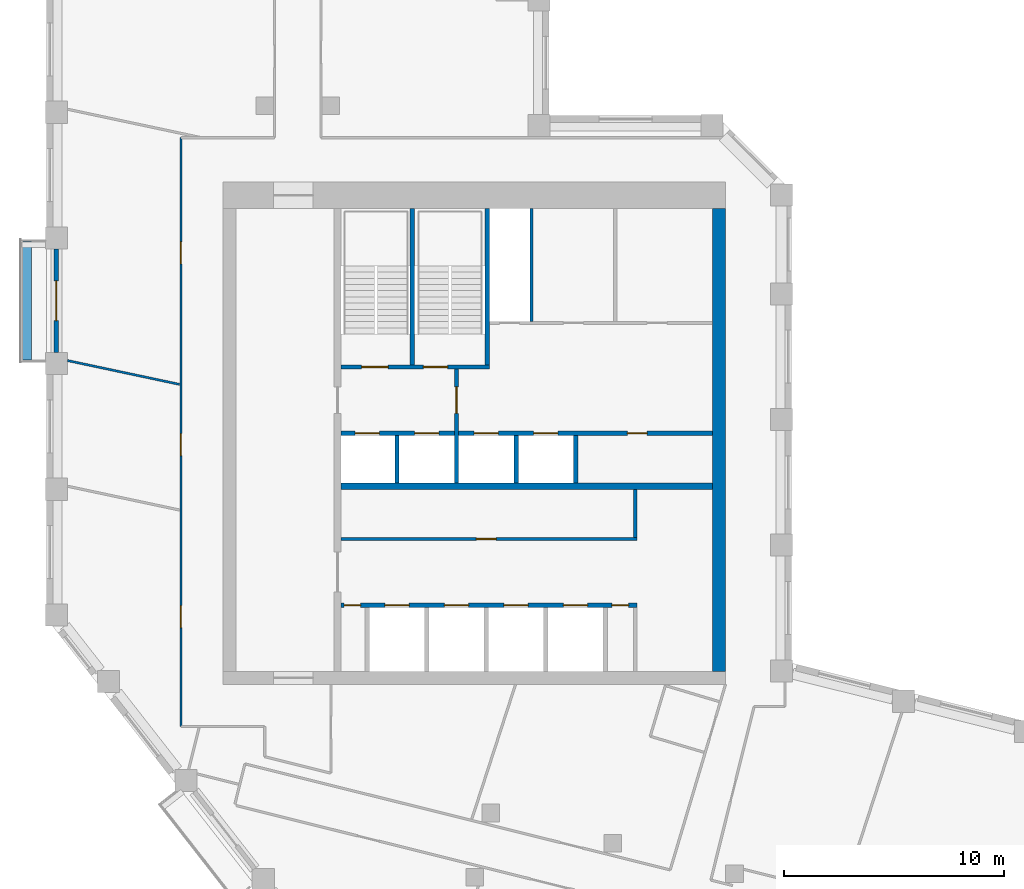
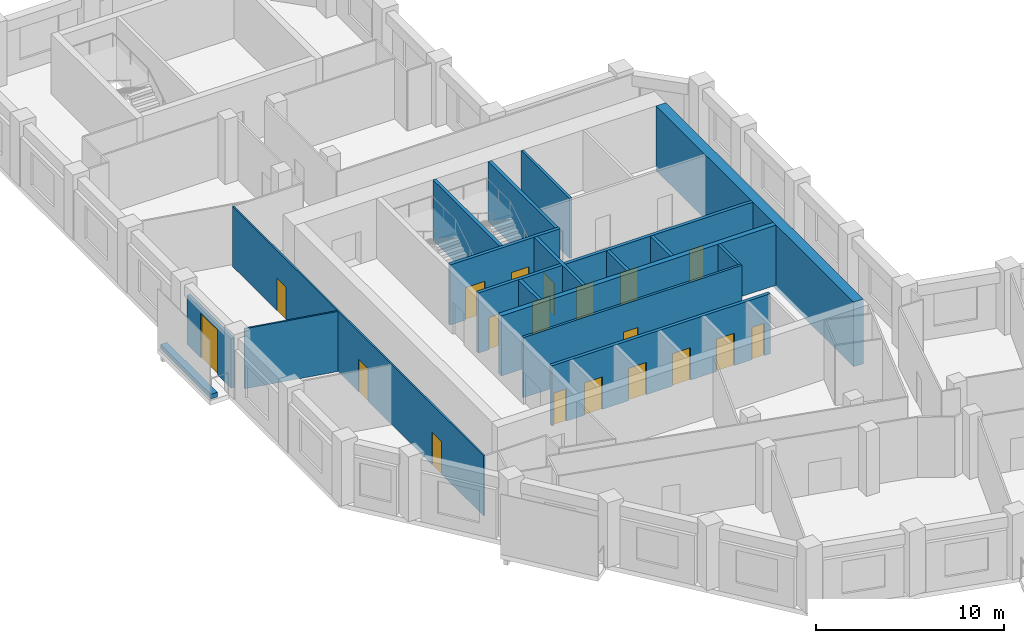
# One storey, part 5 of 9: 19 doors, 18 walls, 19 openings.
"""IFC4 building model written with IfcOpenShell, lengths in metres."""

import ifcopenshell
import ifcopenshell.guid

model = None  # the IFC model being written
_history = None  # IfcOwnerHistory: only IFC2X3 demands one
_inside = {}  # id of a spatial element -> (the spatial element, [elements in it])
_under = {}  # id of a project, library or spatial element -> (it, [spatial elements below it])
_declared = {}  # id of a project -> (the project, [libraries it declares])
_typed = {}  # id of a type object -> (the type object, [elements of that type])
_made_of = {}  # id of a material, layer set ... -> (it, [elements and type objects made of it])


def new_model(schema):
    """Start an empty IFC model of exactly this schema.

    Asked for "IFC4X3", IfcOpenShell would pick the latest addendum, in which some entities
    have other attributes; the version numbers below select the first issue.
    IFC2X3 requires an IfcOwnerHistory on every rooted entity: one is made here for all.
    """
    global model, _history
    if schema == "IFC4X3":
        model = ifcopenshell.file(schema_version=(4, 3, 0, 0))
    else:
        model = ifcopenshell.file(schema=schema)
    _inside.clear()
    _under.clear()
    _declared.clear()
    _typed.clear()
    _made_of.clear()
    _history = None
    if model.schema == "IFC2X3":
        org = make("IfcOrganization", Name="unknown")
        user = make(
            "IfcPersonAndOrganization",
            ThePerson=make("IfcPerson", FamilyName="unknown"),
            TheOrganization=org,
        )
        app = make(
            "IfcApplication",
            ApplicationDeveloper=org,
            Version="unknown",
            ApplicationFullName="unknown",
            ApplicationIdentifier="unknown",
        )
        _history = make(
            "IfcOwnerHistory",
            OwningUser=user,
            OwningApplication=app,
            ChangeAction="ADDED",
            CreationDate=0,
        )
    return model


def make(cls, **values):
    """One entity of the class cls with the attributes given. An attribute that is None is left unset."""
    return model.create_entity(
        cls, **{name: value for name, value in values.items() if value is not None}
    )


def rooted(cls, **values):
    """An entity with a GlobalId (a new one), such as an element, a storey or a relation."""
    return make(cls, GlobalId=ifcopenshell.guid.new(), OwnerHistory=_history, **values)


def si_unit(unit_type, name, prefix=None):
    """IfcSIUnit, for example si_unit("LENGTHUNIT", "METRE", prefix="MILLI")."""
    return make("IfcSIUnit", UnitType=unit_type, Prefix=prefix, Name=name)


def assignment(units):
    """IfcUnitAssignment: the units of a project."""
    return None if units is None else make("IfcUnitAssignment", Units=units)


def point(xyz):
    """IfcCartesianPoint."""
    return None if xyz is None else make("IfcCartesianPoint", Coordinates=xyz)


def direction(xyz):
    """IfcDirection."""
    return None if xyz is None else make("IfcDirection", DirectionRatios=xyz)


def frame(location, z_axis=None, x_axis=None):
    """IfcAxis2Placement3D, a coordinate frame: its origin and axes. An axis left out is left unset."""
    return make(
        "IfcAxis2Placement3D",
        Location=point(location),
        Axis=direction(z_axis),
        RefDirection=direction(x_axis),
    )


def frame_2d(location, x_axis=None):
    """IfcAxis2Placement2D, a coordinate frame in the plane: its origin and x axis."""
    return make(
        "IfcAxis2Placement2D", Location=point(location), RefDirection=direction(x_axis)
    )


def origin():
    """The frame at (0, 0, 0) with its axes left unset."""
    return frame((0.0, 0.0, 0.0))


def place(relative_to, where):
    """IfcLocalPlacement: puts the frame where relative to a parent placement (None: the world)."""
    return make(
        "IfcLocalPlacement", PlacementRelTo=relative_to, RelativePlacement=where
    )


def context(
    kind, dimensions, precision=None, world=None, true_north=None, identifier=None
):
    """IfcGeometricRepresentationContext, for example the 3D "Model" context."""
    return make(
        "IfcGeometricRepresentationContext",
        ContextIdentifier=identifier,
        ContextType=kind,
        CoordinateSpaceDimension=dimensions,
        Precision=precision,
        WorldCoordinateSystem=world,
        TrueNorth=true_north,
    )


def subcontext(parent, identifier, kind, view, scale=None):
    """IfcGeometricRepresentationSubContext, for example "Body" below "Model"."""
    return make(
        "IfcGeometricRepresentationSubContext",
        ContextIdentifier=identifier,
        ContextType=kind,
        ParentContext=parent,
        TargetScale=scale,
        TargetView=view,
    )


def project(units=None, contexts=None):
    """IfcProject with its units and contexts."""
    return rooted(
        "IfcProject",
        Name="project",
        RepresentationContexts=contexts,
        UnitsInContext=assignment(units),
    )


def spatial(cls, under=None, at=None, **own):
    """A site, building, storey or space (cls), placed at a placement, below another one or the project."""
    s = rooted(cls, ObjectPlacement=at, **own)
    if under is not None:
        _under.setdefault(under.id(), (under, []))[1].append(s)
    return s


def profile(cls, at=None, kind="AREA", **sizes):
    """A parametric profile (cls). Its sizes go by their IFC names, for example OverallWidth=200.0."""
    return make(cls, ProfileType=kind, Position=at, **sizes)


def rectangle(**sizes):
    """IfcRectangleProfileDef."""
    return profile("IfcRectangleProfileDef", **sizes)


def extrude(swept, where, along, depth):
    """IfcExtrudedAreaSolid: the profile swept, set in the frame where, extruded along a direction by depth."""
    return make(
        "IfcExtrudedAreaSolid",
        SweptArea=swept,
        Position=where,
        ExtrudedDirection=direction(along),
        Depth=depth,
    )


def shape(context_of_items, identifier, shape_type, items):
    """IfcShapeRepresentation: the items that make up one representation, for example the "Body"."""
    return make(
        "IfcShapeRepresentation",
        ContextOfItems=context_of_items,
        RepresentationIdentifier=identifier,
        RepresentationType=shape_type,
        Items=items,
    )


def material(Name=None, Category=None):
    """IfcMaterial."""
    return make("IfcMaterial", Name=Name, Category=Category)


def layer(
    of_material, thickness, ventilated=None, Name=None, Category=None, Priority=None
):
    """IfcMaterialLayer: one layer of a wall or slab, of a material (None: an air gap)."""
    return make(
        "IfcMaterialLayer",
        Material=of_material,
        LayerThickness=thickness,
        IsVentilated=ventilated,
        Name=Name,
        Category=Category,
        Priority=Priority,
    )


def layer_set(layers, Name=None):
    """IfcMaterialLayerSet."""
    return make("IfcMaterialLayerSet", MaterialLayers=layers, LayerSetName=Name)


def made_of(thing, what):
    """Note that an element or type object is made of a material, layer set ...; save() writes the relation."""
    if what is not None:
        _made_of.setdefault(what.id(), (what, []))[1].append(thing)
    return thing


def type_object(cls, material=None, **own):
    """A type object (cls), such as IfcWallType, which elements share."""
    return made_of(rooted(cls, **own), material)


def element(
    cls,
    number,
    at=None,
    inside=None,
    cuts=None,
    type_object=None,
    material=None,
    context=None,
    identifier="Body",
    shape_type=None,
    held_by="IfcProductDefinitionShape",
    body=None,
    shapes=None,
    **own,
):
    """One element of the class cls, such as IfcWall. Its Tag is "e" and its number.

    at: its placement. inside: the storey or other place that contains it. cuts: it is an
    opening in that element (IfcRelVoidsElement). A single representation is given by context,
    identifier, shape_type and body (its items); several are given by shapes. held_by: the class
    of the entity that holds the representations. save() writes the other relations.
    """
    e = rooted(cls, Tag="e%d" % number, ObjectPlacement=at, **own)
    if body is not None:
        shapes = [shape(context, identifier, shape_type, body)]
    if shapes is not None:
        e.Representation = make(held_by, Representations=shapes)
    if inside is not None:
        _inside.setdefault(inside.id(), (inside, []))[1].append(e)
    if cuts is not None:
        rooted(
            "IfcRelVoidsElement", RelatingBuildingElement=cuts, RelatedOpeningElement=e
        )
    if type_object is not None:
        _typed.setdefault(type_object.id(), (type_object, []))[1].append(e)
    return made_of(e, material)


def fill(opening, filler):
    """IfcRelFillsElement: the door or window that sits in an opening."""
    return rooted(
        "IfcRelFillsElement",
        RelatingOpeningElement=opening,
        RelatedBuildingElement=filler,
    )


def aggregate(whole, parts):
    """IfcRelAggregates: a whole, such as a stair, and the parts it consists of."""
    return rooted("IfcRelAggregates", RelatingObject=whole, RelatedObjects=parts)


def save(model, path):
    """Write the relations noted so far, then the file.

    IfcRelAggregates (storeys below a building ...), IfcRelContainedInSpatialStructure (elements
    in a storey), IfcRelDefinesByType, IfcRelAssociatesMaterial and IfcRelDeclares: one each for
    every whole, place, type object, material and project.
    """
    for whole, parts in _under.values():
        aggregate(whole, parts)
    for where, things in _inside.values():
        rooted(
            "IfcRelContainedInSpatialStructure",
            RelatedElements=things,
            RelatingStructure=where,
        )
    for kind, things in _typed.values():
        rooted("IfcRelDefinesByType", RelatedObjects=things, RelatingType=kind)
    for what, things in _made_of.values():
        rooted("IfcRelAssociatesMaterial", RelatedObjects=things, RelatingMaterial=what)
    for by, libraries in _declared.values():
        rooted("IfcRelDeclares", RelatingContext=by, RelatedDefinitions=libraries)
    model.write(path)


model = new_model("IFC4")

# Units and contexts
model_context = context("Model", 3, precision=1e-05, world=origin(), true_north=direction((0.0, 1.0)))
body_context = subcontext(model_context, "Body", "Model", "MODEL_VIEW")
ifc_project = project(units=[si_unit("LENGTHUNIT", "METRE"), si_unit("AREAUNIT", "SQUARE_METRE"), si_unit("VOLUMEUNIT", "CUBIC_METRE"), si_unit("PLANEANGLEUNIT", "RADIAN"), si_unit("MASSUNIT", "GRAM", prefix="KILO")], contexts=[model_context])

# Site, building, storey
site_placement = place(None, origin())
site = spatial("IfcSite", under=ifc_project, at=site_placement, CompositionType="ELEMENT")
building_placement = place(site_placement, origin())
building = spatial("IfcBuilding", under=site, at=building_placement, Name="Meshkara Civic Tower", CompositionType="ELEMENT")
storey_placement = place(building_placement, frame((0.0, 0.0, 331.800048828125)))
storey = spatial("IfcBuildingStorey", under=building, at=storey_placement, Name="L76", CompositionType="ELEMENT", Elevation=331.800048828125)

# Wall, opening, door
ifc_material_1 = material(Name="Blockwork", Category="masonry")
ifc_layer_1 = layer(ifc_material_1, 0.14990234375)
ifc_layer_set_1 = layer_set([ifc_layer_1], Name="Core partition 150")
wall_type_1 = type_object("IfcWallType", Name="Core partition 150", PredefinedType="PARTITIONING", material=ifc_layer_set_1)
wall_1_placement = place(storey_placement, frame((13.35009765625, 20.699951171875, 0.0), z_axis=(0.0, 0.0, 1.0), x_axis=(1.0, 0.0, 0.0)))
wall_1 = element("IfcWall", 1, at=wall_1_placement, inside=storey, type_object=wall_type_1, Name="L76-C006", PredefinedType="PARTITIONING", context=body_context, shape_type="SweptSolid", body=[
    extrude(rectangle(XDim=13.4248046875, YDim=0.14990234375, at=frame_2d((6.71240234375, 0.0))), origin(), (0.0, 0.0, 1.0), 3.89990234375),
])
opening_1_placement = place(wall_1_placement, frame((6.14990234375, 0.0, 0.0)))
opening_1 = element("IfcOpeningElement", 2, at=opening_1_placement, cuts=wall_1, Name="Opening L76-K011", PredefinedType="OPENING", context=body_context, shape_type="SweptSolid", body=[
    extrude(rectangle(XDim=0.89990234375, YDim=2.10009765625, at=frame_2d((0.449951171875, 1.050048828125))), frame((0.0, 0.0849609375, 0.0), z_axis=(0.0, -1.0, 0.0), x_axis=(1.0, 0.0, 0.0)), (0.0, 0.0, 1.0), 0.169921875),
])
ifc_material_2 = material(Name="Timber door leaf in steel frame", Category="steel")
door_type_1 = type_object("IfcDoorType", Name="Core room door 900", OperationType="SINGLE_SWING_LEFT", PredefinedType="DOOR", material=ifc_material_2)
door_1_placement = place(opening_1_placement, origin())
door_1 = element("IfcDoor", 3, at=door_1_placement, inside=storey, type_object=door_type_1, Name="L76-K011", OperationType="SINGLE_SWING_RIGHT", OverallHeight=2.10009765625, OverallWidth=0.89990234375, PredefinedType="DOOR", context=body_context, shape_type="SweptSolid", body=[
    extrude(rectangle(XDim=0.89990234375, YDim=2.10009765625, at=frame_2d((0.449951171875, 1.050048828125))), frame((0.0, 0.02490234375, 0.0), z_axis=(0.0, -1.0, 0.0), x_axis=(1.0, 0.0, 0.0)), (0.0, 0.0, 1.0), 0.050048828125),
])
fill(opening_1, door_1)

# Walls
wall_2_placement = place(storey_placement, frame((22.0, 30.574951171875, 0.0), z_axis=(0.0, 0.0, 1.0), x_axis=(0.0, 1.0, 0.0)))
element("IfcWall", 4, at=wall_2_placement, inside=storey, type_object=wall_type_1, Name="L76-C020", PredefinedType="PARTITIONING", context=body_context, shape_type="SweptSolid", body=[
    extrude(rectangle(XDim=5.125, YDim=0.14990234375, at=frame_2d((2.5625, 0.0))), origin(), (0.0, 0.0, 1.0), 3.89990234375),
])
wall_3_placement = place(storey_placement, frame((26.699951171875, 20.77490234375, 0.0), z_axis=(0.0, 0.0, 1.0), x_axis=(0.0, 1.0, 0.0)))
element("IfcWall", 5, at=wall_3_placement, inside=storey, type_object=wall_type_1, Name="L76-C026", PredefinedType="PARTITIONING", context=body_context, shape_type="SweptSolid", body=[
    extrude(rectangle(XDim=2.175048828125, YDim=0.14990234375, at=frame_2d((1.08740234375, 0.0))), origin(), (0.0, 0.0, 1.0), 3.89990234375),
])
ifc_material_3 = material(Name="Concrete C60", Category="concrete")
ifc_layer_2 = layer(ifc_material_3, 0.60009765625)
ifc_layer_set_2 = layer_set([ifc_layer_2], Name="Core ring wall 600 C60")
wall_type_2 = type_object("IfcWallType", Name="Core ring wall 600 C60", PredefinedType="SHEAR", material=ifc_layer_set_2)
wall_4_placement = place(storey_placement, frame((30.5, 14.699951171875, -0.300048828125), z_axis=(0.0, 0.0, 1.0), x_axis=(0.0, 1.0, 0.0)))
element("IfcWall", 6, at=wall_4_placement, inside=storey, type_object=wall_type_2, Name="L76-C004", PredefinedType="SHEAR", context=body_context, shape_type="SweptSolid", body=[
    extrude(rectangle(XDim=21.0, YDim=0.60009765625, at=frame_2d((10.5, 0.0))), origin(), (0.0, 0.0, 1.0), 4.199951171875),
])
ifc_material_4 = material(Name="Concrete C60", Category="concrete")
ifc_layer_3 = layer(ifc_material_4, 0.300048828125)
ifc_layer_set_3 = layer_set([ifc_layer_3], Name="Core shear wall 300 C60")
wall_type_3 = type_object("IfcWallType", Name="Core shear wall 300 C60", PredefinedType="SHEAR", material=ifc_layer_set_3)
wall_5_placement = place(storey_placement, frame((13.35009765625, 23.10009765625, 0.0), z_axis=(0.0, 0.0, 1.0), x_axis=(1.0, 0.0, 0.0)))
element("IfcWall", 7, at=wall_5_placement, inside=storey, type_object=wall_type_3, Name="L76-C007", PredefinedType="SHEAR", context=body_context, shape_type="SweptSolid", body=[
    extrude(rectangle(XDim=16.849853515625, YDim=0.300048828125, at=frame_2d((8.4248046875, 0.0))), origin(), (0.0, 0.0, 1.0), 3.89990234375),
])

# Wall, openings, doors
ifc_material_5 = material(Name="Corridor wall 100")
ifc_layer_4 = layer(ifc_material_5, 0.10009765625)
ifc_layer_set_4 = layer_set([ifc_layer_4], Name="Corridor wall 100")
wall_type_4 = type_object("IfcWallType", Name="Corridor wall 100", PredefinedType="PARTITIONING", material=ifc_layer_set_4)
wall_6_placement = place(storey_placement, frame((6.10009765625, 12.199951171875, 0.0), z_axis=(0.0, 0.0, 1.0), x_axis=(0.0, 1.0, 0.0)))
wall_6 = element("IfcWall", 8, at=wall_6_placement, inside=storey, type_object=wall_type_4, Name="L76-W004", PredefinedType="PARTITIONING", context=body_context, shape_type="SweptSolid", body=[
    extrude(rectangle(XDim=26.699951171875, YDim=0.10009765625, at=frame_2d((13.35009765625, 0.0))), origin(), (0.0, 0.0, 1.0), 3.89990234375),
])
opening_2_placement = place(wall_6_placement, frame((4.47998046875, 0.0, 0.0)))
opening_2 = element("IfcOpeningElement", 9, at=opening_2_placement, cuts=wall_6, Name="Opening L76-D012", PredefinedType="OPENING", context=body_context, shape_type="SweptSolid", body=[
    extrude(rectangle(XDim=1.0, YDim=2.10009765625, at=frame_2d((0.5, 1.050048828125))), frame((0.0, 0.06005859375, 0.0), z_axis=(0.0, -1.0, 0.0), x_axis=(1.0, 0.0, 0.0)), (0.0, 0.0, 1.0), 0.1201171875),
])
opening_3_placement = place(wall_6_placement, frame((12.279052734375, 0.0, 0.0)))
opening_3 = element("IfcOpeningElement", 10, at=opening_3_placement, cuts=wall_6, Name="Opening L76-D015", PredefinedType="OPENING", context=body_context, shape_type="SweptSolid", body=[
    extrude(rectangle(XDim=1.0, YDim=2.10009765625, at=frame_2d((0.5, 1.050048828125))), frame((0.0, 0.06005859375, 0.0), z_axis=(0.0, -1.0, 0.0), x_axis=(1.0, 0.0, 0.0)), (0.0, 0.0, 1.0), 0.1201171875),
])
opening_4_placement = place(wall_6_placement, frame((20.97900390625, 0.0, 0.0)))
opening_4 = element("IfcOpeningElement", 11, at=opening_4_placement, cuts=wall_6, Name="Opening L76-D016", PredefinedType="OPENING", context=body_context, shape_type="SweptSolid", body=[
    extrude(rectangle(XDim=1.0, YDim=2.10009765625, at=frame_2d((0.5, 1.050048828125))), frame((0.0, 0.06005859375, 0.0), z_axis=(0.0, -1.0, 0.0), x_axis=(1.0, 0.0, 0.0)), (0.0, 0.0, 1.0), 0.1201171875),
])
ifc_material_6 = material(Name="Door 1000 x 2100")
door_type_2 = type_object("IfcDoorType", Name="Door 1000 x 2100", OperationType="SINGLE_SWING_LEFT", PredefinedType="DOOR", material=ifc_material_6)
door_2_placement = place(opening_2_placement, origin())
door_2 = element("IfcDoor", 12, at=door_2_placement, inside=storey, type_object=door_type_2, Name="L76-D012", OperationType="SINGLE_SWING_RIGHT", OverallHeight=2.10009765625, OverallWidth=1.0, PredefinedType="DOOR", context=body_context, shape_type="SweptSolid", body=[
    extrude(rectangle(XDim=1.0, YDim=2.10009765625, at=frame_2d((0.5, 1.050048828125))), frame((0.0, 0.02490234375, 0.0), z_axis=(0.0, -1.0, 0.0), x_axis=(1.0, 0.0, 0.0)), (0.0, 0.0, 1.0), 0.050048828125),
])
fill(opening_2, door_2)
door_3_placement = place(opening_3_placement, origin())
door_3 = element("IfcDoor", 13, at=door_3_placement, inside=storey, type_object=door_type_2, Name="L76-D015", OperationType="SINGLE_SWING_RIGHT", OverallHeight=2.10009765625, OverallWidth=1.0, PredefinedType="DOOR", context=body_context, shape_type="SweptSolid", body=[
    extrude(rectangle(XDim=1.0, YDim=2.10009765625, at=frame_2d((0.5, 1.050048828125))), frame((0.0, 0.02490234375, 0.0), z_axis=(0.0, -1.0, 0.0), x_axis=(1.0, 0.0, 0.0)), (0.0, 0.0, 1.0), 0.050048828125),
])
fill(opening_3, door_3)
door_4_placement = place(opening_4_placement, origin())
door_4 = element("IfcDoor", 14, at=door_4_placement, inside=storey, type_object=door_type_2, Name="L76-D016", OperationType="SINGLE_SWING_RIGHT", OverallHeight=2.10009765625, OverallWidth=1.0, PredefinedType="DOOR", context=body_context, shape_type="SweptSolid", body=[
    extrude(rectangle(XDim=1.0, YDim=2.10009765625, at=frame_2d((0.5, 1.050048828125))), frame((0.0, 0.02490234375, 0.0), z_axis=(0.0, -1.0, 0.0), x_axis=(1.0, 0.0, 0.0)), (0.0, 0.0, 1.0), 0.050048828125),
])
fill(opening_4, door_4)

# Wall, opening, door
ifc_material_7 = material(Name="Insulated infill panel with bronze anodised aluminium cladding", Category="aluminium")
ifc_layer_5 = layer(ifc_material_7, 0.199951171875)
ifc_layer_set_5 = layer_set([ifc_layer_5], Name="LOGGIA BACK WALL 200")
wall_type_5 = type_object("IfcWallType", Name="LOGGIA BACK WALL 200", PredefinedType="SOLIDWALL", material=ifc_layer_set_5)
wall_7_placement = place(storey_placement, frame((0.449951171875, 33.85498046875, 0.0), z_axis=(0.0, 0.0, 1.0), x_axis=(0.0, -1.0, 0.0)))
wall_7 = element("IfcWall", 15, at=wall_7_placement, inside=storey, type_object=wall_type_5, Name="Loggia wall", PredefinedType="SOLIDWALL", context=body_context, shape_type="SweptSolid", body=[
    extrude(rectangle(XDim=4.699951171875, YDim=0.199951171875, at=frame_2d((2.35009765625, 0.0))), origin(), (0.0, 0.0, 1.0), 3.199951171875),
])
opening_5_placement = place(wall_7_placement, frame((1.449951171875, 0.0, 0.0)))
opening_5 = element("IfcOpeningElement", 16, at=opening_5_placement, cuts=wall_7, Name="Opening L76-L001", PredefinedType="OPENING", context=body_context, shape_type="SweptSolid", body=[
    extrude(rectangle(XDim=1.800048828125, YDim=2.89990234375, at=frame_2d((0.89990234375, 1.449951171875))), frame((0.0, 0.10986328125, 0.0), z_axis=(0.0, -1.0, 0.0), x_axis=(1.0, 0.0, 0.0)), (0.0, 0.0, 1.0), 0.219970703125),
])
ifc_material_8 = material(Name="Tinted double glazing", Category="glass")
door_type_3 = type_object("IfcDoorType", Name="LOGGIA DOOR 1800x2900", OperationType="DOUBLE_DOOR_SINGLE_SWING", PredefinedType="DOOR", material=ifc_material_8)
door_5_placement = place(opening_5_placement, origin())
door_5 = element("IfcDoor", 17, at=door_5_placement, inside=storey, type_object=door_type_3, Name="L76-L001", OperationType="DOUBLE_DOOR_SINGLE_SWING", OverallHeight=2.89990234375, OverallWidth=1.800048828125, PredefinedType="DOOR", context=body_context, shape_type="SweptSolid", body=[
    extrude(rectangle(XDim=1.800048828125, YDim=2.89990234375, at=frame_2d((0.89990234375, 1.449951171875))), frame((0.0, 0.02490234375, 0.0), z_axis=(0.0, -1.0, 0.0), x_axis=(1.0, 0.0, 0.0)), (0.0, 0.0, 1.0), 0.050048828125),
])
fill(opening_5, door_5)

# Walls
ifc_material_9 = material(Name="Concrete C40", Category="concrete")
ifc_layer_6 = layer(ifc_material_9, 0.39990234375)
ifc_layer_set_6 = layer_set([ifc_layer_6], Name="PLANTER TRAY")
wall_type_6 = type_object("IfcWallType", Name="PLANTER TRAY", PredefinedType="SOLIDWALL", material=ifc_layer_set_6)
wall_8_placement = place(storey_placement, frame((-0.8798828125, 34.18505859375, 0.0), z_axis=(0.0, 0.0, 1.0), x_axis=(0.0, -1.0, 0.0)))
element("IfcWall", 18, at=wall_8_placement, inside=storey, type_object=wall_type_6, Name="Planter", PredefinedType="SOLIDWALL", context=body_context, shape_type="SweptSolid", body=[
    extrude(rectangle(XDim=5.360107421875, YDim=0.39990234375, at=frame_2d((2.68017578125, 0.0))), origin(), (0.0, 0.0, 1.0), 0.300048828125),
])
ifc_material_10 = material(Name="Partition 100")
ifc_layer_7 = layer(ifc_material_10, 0.10009765625)
ifc_layer_set_7 = layer_set([ifc_layer_7], Name="Partition 100")
wall_type_7 = type_object("IfcWallType", Name="Partition 100", PredefinedType="PARTITIONING", material=ifc_layer_set_7)
wall_9_placement = place(storey_placement, frame((6.0400390625, 27.7119140625, 0.0), z_axis=(0.0, 0.0, 1.0), x_axis=(-0.978143705428, 0.207930015946, 0.0)))
element("IfcWall", 19, at=wall_9_placement, inside=storey, type_object=wall_type_7, Name="L76-W044", PredefinedType="PARTITIONING", context=body_context, shape_type="SweptSolid", body=[
    extrude(rectangle(XDim=5.203857421875, YDim=0.10009765625, at=frame_2d((2.60205078125, 0.0))), origin(), (0.0, 0.0, 1.0), 3.89990234375),
])

# Wall, openings, doors
ifc_material_11 = material(Name="Concrete C40/50", Category="concrete")
ifc_layer_8 = layer(ifc_material_11, 0.199951171875)
ifc_layer_set_8 = layer_set([ifc_layer_8], Name="Shaft wall 200 C40/50")
wall_type_8 = type_object("IfcWallType", Name="Shaft wall 200 C40/50", PredefinedType="SOLIDWALL", material=ifc_layer_set_8)
wall_10_placement = place(storey_placement, frame((13.35009765625, 17.699951171875, 0.0), z_axis=(0.0, 0.0, 1.0), x_axis=(1.0, 0.0, 0.0)))
wall_10 = element("IfcWall", 20, at=wall_10_placement, inside=storey, type_object=wall_type_8, Name="L76-C005", PredefinedType="SOLIDWALL", context=body_context, shape_type="SweptSolid", body=[
    extrude(rectangle(XDim=13.4248046875, YDim=0.199951171875, at=frame_2d((6.71240234375, 0.0))), origin(), (0.0, 0.0, 1.0), 3.89990234375),
])
opening_6_placement = place(wall_10_placement, frame((2.0, 0.0, 0.0)))
opening_6 = element("IfcOpeningElement", 21, at=opening_6_placement, cuts=wall_10, Name="Opening L76-K001", PredefinedType="OPENING", context=body_context, shape_type="SweptSolid", body=[
    extrude(rectangle(XDim=1.10009765625, YDim=2.10009765625, at=frame_2d((0.550048828125, 1.050048828125))), frame((0.0, 0.10986328125, 0.0), z_axis=(0.0, -1.0, 0.0), x_axis=(1.0, 0.0, 0.0)), (0.0, 0.0, 1.0), 0.219970703125),
])
opening_7_placement = place(wall_10_placement, frame((4.699951171875, 0.0, 0.0)))
opening_7 = element("IfcOpeningElement", 22, at=opening_7_placement, cuts=wall_10, Name="Opening L76-K002", PredefinedType="OPENING", context=body_context, shape_type="SweptSolid", body=[
    extrude(rectangle(XDim=1.10009765625, YDim=2.10009765625, at=frame_2d((0.550048828125, 1.050048828125))), frame((0.0, 0.10986328125, 0.0), z_axis=(0.0, -1.0, 0.0), x_axis=(1.0, 0.0, 0.0)), (0.0, 0.0, 1.0), 0.219970703125),
])
opening_8_placement = place(wall_10_placement, frame((7.39990234375, 0.0, 0.0)))
opening_8 = element("IfcOpeningElement", 23, at=opening_8_placement, cuts=wall_10, Name="Opening L76-K003", PredefinedType="OPENING", context=body_context, shape_type="SweptSolid", body=[
    extrude(rectangle(XDim=1.10009765625, YDim=2.10009765625, at=frame_2d((0.550048828125, 1.050048828125))), frame((0.0, 0.10986328125, 0.0), z_axis=(0.0, -1.0, 0.0), x_axis=(1.0, 0.0, 0.0)), (0.0, 0.0, 1.0), 0.219970703125),
])
opening_9_placement = place(wall_10_placement, frame((10.10009765625, 0.0, 0.0)))
opening_9 = element("IfcOpeningElement", 24, at=opening_9_placement, cuts=wall_10, Name="Opening L76-K004", PredefinedType="OPENING", context=body_context, shape_type="SweptSolid", body=[
    extrude(rectangle(XDim=1.10009765625, YDim=2.10009765625, at=frame_2d((0.550048828125, 1.050048828125))), frame((0.0, 0.10986328125, 0.0), z_axis=(0.0, -1.0, 0.0), x_axis=(1.0, 0.0, 0.0)), (0.0, 0.0, 1.0), 0.219970703125),
])
opening_10_placement = place(wall_10_placement, frame((0.14990234375, 0.0, 0.0)))
opening_10 = element("IfcOpeningElement", 25, at=opening_10_placement, cuts=wall_10, Name="Opening L76-K009", PredefinedType="OPENING", context=body_context, shape_type="SweptSolid", body=[
    extrude(rectangle(XDim=0.75, YDim=2.10009765625, at=frame_2d((0.375, 1.050048828125))), frame((0.0, 0.10986328125, 0.0), z_axis=(0.0, -1.0, 0.0), x_axis=(1.0, 0.0, 0.0)), (0.0, 0.0, 1.0), 0.219970703125),
])
opening_11_placement = place(wall_10_placement, frame((12.300048828125, 0.0, 0.0)))
opening_11 = element("IfcOpeningElement", 26, at=opening_11_placement, cuts=wall_10, Name="Opening L76-K010", PredefinedType="OPENING", context=body_context, shape_type="SweptSolid", body=[
    extrude(rectangle(XDim=0.75, YDim=2.10009765625, at=frame_2d((0.375, 1.050048828125))), frame((0.0, 0.10986328125, 0.0), z_axis=(0.0, -1.0, 0.0), x_axis=(1.0, 0.0, 0.0)), (0.0, 0.0, 1.0), 0.219970703125),
])
ifc_material_12 = material(Name="Timber door leaf in steel frame", Category="steel")
door_type_4 = type_object("IfcDoorType", Name="Core room door 750", OperationType="SINGLE_SWING_LEFT", PredefinedType="DOOR", material=ifc_material_12)
door_6_placement = place(opening_10_placement, origin())
door_6 = element("IfcDoor", 27, at=door_6_placement, inside=storey, type_object=door_type_4, Name="L76-K009", OperationType="SINGLE_SWING_RIGHT", OverallHeight=2.10009765625, OverallWidth=0.75, PredefinedType="DOOR", context=body_context, shape_type="SweptSolid", body=[
    extrude(rectangle(XDim=0.75, YDim=2.10009765625, at=frame_2d((0.375, 1.050048828125))), frame((0.0, 0.02490234375, 0.0), z_axis=(0.0, -1.0, 0.0), x_axis=(1.0, 0.0, 0.0)), (0.0, 0.0, 1.0), 0.050048828125),
])
fill(opening_10, door_6)
door_7_placement = place(opening_11_placement, origin())
door_7 = element("IfcDoor", 28, at=door_7_placement, inside=storey, type_object=door_type_4, Name="L76-K010", OperationType="SINGLE_SWING_RIGHT", OverallHeight=2.10009765625, OverallWidth=0.75, PredefinedType="DOOR", context=body_context, shape_type="SweptSolid", body=[
    extrude(rectangle(XDim=0.75, YDim=2.10009765625, at=frame_2d((0.375, 1.050048828125))), frame((0.0, 0.02490234375, 0.0), z_axis=(0.0, -1.0, 0.0), x_axis=(1.0, 0.0, 0.0)), (0.0, 0.0, 1.0), 0.050048828125),
])
fill(opening_11, door_7)
ifc_material_13 = material(Name="Stainless steel landing door", Category="steel")
door_type_5 = type_object("IfcDoorType", Name="Lift landing door 1100", OperationType="SLIDING_TO_LEFT", PredefinedType="DOOR", material=ifc_material_13)
door_8_placement = place(opening_6_placement, origin())
door_8 = element("IfcDoor", 29, at=door_8_placement, inside=storey, type_object=door_type_5, Name="L76-K001", OperationType="SLIDING_TO_LEFT", OverallHeight=2.10009765625, OverallWidth=1.10009765625, PredefinedType="DOOR", context=body_context, shape_type="SweptSolid", body=[
    extrude(rectangle(XDim=1.10009765625, YDim=2.10009765625, at=frame_2d((0.550048828125, 1.050048828125))), frame((0.0, 0.02490234375, 0.0), z_axis=(0.0, -1.0, 0.0), x_axis=(1.0, 0.0, 0.0)), (0.0, 0.0, 1.0), 0.050048828125),
])
fill(opening_6, door_8)
door_9_placement = place(opening_7_placement, origin())
door_9 = element("IfcDoor", 30, at=door_9_placement, inside=storey, type_object=door_type_5, Name="L76-K002", OperationType="SLIDING_TO_LEFT", OverallHeight=2.10009765625, OverallWidth=1.10009765625, PredefinedType="DOOR", context=body_context, shape_type="SweptSolid", body=[
    extrude(rectangle(XDim=1.10009765625, YDim=2.10009765625, at=frame_2d((0.550048828125, 1.050048828125))), frame((0.0, 0.02490234375, 0.0), z_axis=(0.0, -1.0, 0.0), x_axis=(1.0, 0.0, 0.0)), (0.0, 0.0, 1.0), 0.050048828125),
])
fill(opening_7, door_9)
door_10_placement = place(opening_8_placement, origin())
door_10 = element("IfcDoor", 31, at=door_10_placement, inside=storey, type_object=door_type_5, Name="L76-K003", OperationType="SLIDING_TO_LEFT", OverallHeight=2.10009765625, OverallWidth=1.10009765625, PredefinedType="DOOR", context=body_context, shape_type="SweptSolid", body=[
    extrude(rectangle(XDim=1.10009765625, YDim=2.10009765625, at=frame_2d((0.550048828125, 1.050048828125))), frame((0.0, 0.02490234375, 0.0), z_axis=(0.0, -1.0, 0.0), x_axis=(1.0, 0.0, 0.0)), (0.0, 0.0, 1.0), 0.050048828125),
])
fill(opening_8, door_10)
door_11_placement = place(opening_9_placement, origin())
door_11 = element("IfcDoor", 32, at=door_11_placement, inside=storey, type_object=door_type_5, Name="L76-K004", OperationType="SLIDING_TO_LEFT", OverallHeight=2.10009765625, OverallWidth=1.10009765625, PredefinedType="DOOR", context=body_context, shape_type="SweptSolid", body=[
    extrude(rectangle(XDim=1.10009765625, YDim=2.10009765625, at=frame_2d((0.550048828125, 1.050048828125))), frame((0.0, 0.02490234375, 0.0), z_axis=(0.0, -1.0, 0.0), x_axis=(1.0, 0.0, 0.0)), (0.0, 0.0, 1.0), 0.050048828125),
])
fill(opening_9, door_11)

wall_11_placement = place(storey_placement, frame((13.35009765625, 25.5, 0.0), z_axis=(0.0, 0.0, 1.0), x_axis=(1.0, 0.0, 0.0)))
wall_11 = element("IfcWall", 33, at=wall_11_placement, inside=storey, type_object=wall_type_8, Name="L76-C008", PredefinedType="SOLIDWALL", context=body_context, shape_type="SweptSolid", body=[
    extrude(rectangle(XDim=16.849853515625, YDim=0.199951171875, at=frame_2d((8.4248046875, 0.0))), origin(), (0.0, 0.0, 1.0), 3.89990234375),
])
opening_12_placement = place(wall_11_placement, frame((0.64990234375, 0.0, 0.0)))
opening_12 = element("IfcOpeningElement", 34, at=opening_12_placement, cuts=wall_11, Name="Opening L76-K005", PredefinedType="OPENING", context=body_context, shape_type="SweptSolid", body=[
    extrude(rectangle(XDim=1.10009765625, YDim=2.10009765625, at=frame_2d((0.550048828125, 1.050048828125))), frame((0.0, 0.10986328125, 0.0), z_axis=(0.0, -1.0, 0.0), x_axis=(1.0, 0.0, 0.0)), (0.0, 0.0, 1.0), 0.219970703125),
])
opening_13_placement = place(wall_11_placement, frame((3.35009765625, 0.0, 0.0)))
opening_13 = element("IfcOpeningElement", 35, at=opening_13_placement, cuts=wall_11, Name="Opening L76-K006", PredefinedType="OPENING", context=body_context, shape_type="SweptSolid", body=[
    extrude(rectangle(XDim=1.10009765625, YDim=2.10009765625, at=frame_2d((0.550048828125, 1.050048828125))), frame((0.0, 0.10986328125, 0.0), z_axis=(0.0, -1.0, 0.0), x_axis=(1.0, 0.0, 0.0)), (0.0, 0.0, 1.0), 0.219970703125),
])
opening_14_placement = place(wall_11_placement, frame((6.050048828125, 0.0, 0.0)))
opening_14 = element("IfcOpeningElement", 36, at=opening_14_placement, cuts=wall_11, Name="Opening L76-K007", PredefinedType="OPENING", context=body_context, shape_type="SweptSolid", body=[
    extrude(rectangle(XDim=1.10009765625, YDim=2.10009765625, at=frame_2d((0.550048828125, 1.050048828125))), frame((0.0, 0.10986328125, 0.0), z_axis=(0.0, -1.0, 0.0), x_axis=(1.0, 0.0, 0.0)), (0.0, 0.0, 1.0), 0.219970703125),
])
opening_15_placement = place(wall_11_placement, frame((8.75, 0.0, 0.0)))
opening_15 = element("IfcOpeningElement", 37, at=opening_15_placement, cuts=wall_11, Name="Opening L76-K008", PredefinedType="OPENING", context=body_context, shape_type="SweptSolid", body=[
    extrude(rectangle(XDim=1.10009765625, YDim=2.10009765625, at=frame_2d((0.550048828125, 1.050048828125))), frame((0.0, 0.10986328125, 0.0), z_axis=(0.0, -1.0, 0.0), x_axis=(1.0, 0.0, 0.0)), (0.0, 0.0, 1.0), 0.219970703125),
])
opening_16_placement = place(wall_11_placement, frame((13.0, 0.0, 0.0)))
opening_16 = element("IfcOpeningElement", 38, at=opening_16_placement, cuts=wall_11, Name="Opening L76-K012", PredefinedType="OPENING", context=body_context, shape_type="SweptSolid", body=[
    extrude(rectangle(XDim=0.89990234375, YDim=2.10009765625, at=frame_2d((0.449951171875, 1.050048828125))), frame((0.0, 0.10986328125, 0.0), z_axis=(0.0, -1.0, 0.0), x_axis=(1.0, 0.0, 0.0)), (0.0, 0.0, 1.0), 0.219970703125),
])
door_12_placement = place(opening_16_placement, origin())
door_12 = element("IfcDoor", 39, at=door_12_placement, inside=storey, type_object=door_type_1, Name="L76-K012", OperationType="SINGLE_SWING_LEFT", OverallHeight=2.10009765625, OverallWidth=0.89990234375, PredefinedType="DOOR", context=body_context, shape_type="SweptSolid", body=[
    extrude(rectangle(XDim=0.89990234375, YDim=2.10009765625, at=frame_2d((0.449951171875, 1.050048828125))), frame((0.0, 0.02490234375, 0.0), z_axis=(0.0, -1.0, 0.0), x_axis=(1.0, 0.0, 0.0)), (0.0, 0.0, 1.0), 0.050048828125),
])
fill(opening_16, door_12)
door_13_placement = place(opening_12_placement, origin())
door_13 = element("IfcDoor", 40, at=door_13_placement, inside=storey, type_object=door_type_5, Name="L76-K005", OperationType="SLIDING_TO_LEFT", OverallHeight=2.10009765625, OverallWidth=1.10009765625, PredefinedType="DOOR", context=body_context, shape_type="SweptSolid", body=[
    extrude(rectangle(XDim=1.10009765625, YDim=2.10009765625, at=frame_2d((0.550048828125, 1.050048828125))), frame((0.0, 0.02490234375, 0.0), z_axis=(0.0, -1.0, 0.0), x_axis=(1.0, 0.0, 0.0)), (0.0, 0.0, 1.0), 0.050048828125),
])
fill(opening_12, door_13)
door_14_placement = place(opening_13_placement, origin())
door_14 = element("IfcDoor", 41, at=door_14_placement, inside=storey, type_object=door_type_5, Name="L76-K006", OperationType="SLIDING_TO_LEFT", OverallHeight=2.10009765625, OverallWidth=1.10009765625, PredefinedType="DOOR", context=body_context, shape_type="SweptSolid", body=[
    extrude(rectangle(XDim=1.10009765625, YDim=2.10009765625, at=frame_2d((0.550048828125, 1.050048828125))), frame((0.0, 0.02490234375, 0.0), z_axis=(0.0, -1.0, 0.0), x_axis=(1.0, 0.0, 0.0)), (0.0, 0.0, 1.0), 0.050048828125),
])
fill(opening_13, door_14)
door_15_placement = place(opening_14_placement, origin())
door_15 = element("IfcDoor", 42, at=door_15_placement, inside=storey, type_object=door_type_5, Name="L76-K007", OperationType="SLIDING_TO_LEFT", OverallHeight=2.10009765625, OverallWidth=1.10009765625, PredefinedType="DOOR", context=body_context, shape_type="SweptSolid", body=[
    extrude(rectangle(XDim=1.10009765625, YDim=2.10009765625, at=frame_2d((0.550048828125, 1.050048828125))), frame((0.0, 0.02490234375, 0.0), z_axis=(0.0, -1.0, 0.0), x_axis=(1.0, 0.0, 0.0)), (0.0, 0.0, 1.0), 0.050048828125),
])
fill(opening_14, door_15)
door_16_placement = place(opening_15_placement, origin())
door_16 = element("IfcDoor", 43, at=door_16_placement, inside=storey, type_object=door_type_5, Name="L76-K008", OperationType="SLIDING_TO_LEFT", OverallHeight=2.10009765625, OverallWidth=1.10009765625, PredefinedType="DOOR", context=body_context, shape_type="SweptSolid", body=[
    extrude(rectangle(XDim=1.10009765625, YDim=2.10009765625, at=frame_2d((0.550048828125, 1.050048828125))), frame((0.0, 0.02490234375, 0.0), z_axis=(0.0, -1.0, 0.0), x_axis=(1.0, 0.0, 0.0)), (0.0, 0.0, 1.0), 0.050048828125),
])
fill(opening_15, door_16)

# Wall
wall_12_placement = place(storey_placement, frame((15.89990234375, 23.25, 0.0), z_axis=(0.0, 0.0, 1.0), x_axis=(0.0, 1.0, 0.0)))
element("IfcWall", 44, at=wall_12_placement, inside=storey, type_object=wall_type_8, Name="L76-C013", PredefinedType="SOLIDWALL", context=body_context, shape_type="SweptSolid", body=[
    extrude(rectangle(XDim=2.14990234375, YDim=0.199951171875, at=frame_2d((1.074951171875, 0.0))), origin(), (0.0, 0.0, 1.0), 3.89990234375),
])

# Wall, opening, door
wall_13_placement = place(storey_placement, frame((18.60009765625, 23.25, 0.0), z_axis=(0.0, 0.0, 1.0), x_axis=(0.0, 1.0, 0.0)))
wall_13 = element("IfcWall", 45, at=wall_13_placement, inside=storey, type_object=wall_type_8, Name="L76-C016", PredefinedType="SOLIDWALL", context=body_context, shape_type="SweptSolid", body=[
    extrude(rectangle(XDim=5.14990234375, YDim=0.199951171875, at=frame_2d((2.574951171875, 0.0))), origin(), (0.0, 0.0, 1.0), 3.89990234375),
])
opening_17_placement = place(wall_13_placement, frame((3.14990234375, 0.0, 0.0)))
opening_17 = element("IfcOpeningElement", 46, at=opening_17_placement, cuts=wall_13, Name="Opening L76-K020", PredefinedType="OPENING", context=body_context, shape_type="SweptSolid", body=[
    extrude(rectangle(XDim=1.199951171875, YDim=2.10009765625, at=frame_2d((0.60009765625, 1.050048828125))), frame((0.0, 0.10986328125, 0.0), z_axis=(0.0, -1.0, 0.0), x_axis=(1.0, 0.0, 0.0)), (0.0, 0.0, 1.0), 0.219970703125),
])
ifc_material_14 = material(Name="Fire-rated door leaf in steel frame", Category="steel")
door_type_6 = type_object("IfcDoorType", Name="Fire-fighting lobby door 1200 EI 120", OperationType="SINGLE_SWING_LEFT", PredefinedType="DOOR", material=ifc_material_14)
door_17_placement = place(opening_17_placement, origin())
door_17 = element("IfcDoor", 47, at=door_17_placement, inside=storey, type_object=door_type_6, Name="L76-K020", OperationType="SINGLE_SWING_RIGHT", OverallHeight=2.10009765625, OverallWidth=1.199951171875, PredefinedType="DOOR", context=body_context, shape_type="SweptSolid", body=[
    extrude(rectangle(XDim=1.199951171875, YDim=2.10009765625, at=frame_2d((0.60009765625, 1.050048828125))), frame((0.0, 0.02490234375, 0.0), z_axis=(0.0, -1.0, 0.0), x_axis=(1.0, 0.0, 0.0)), (0.0, 0.0, 1.0), 0.050048828125),
])
fill(opening_17, door_17)

# Walls
for number, where, z_axis, x_axis, name in (
    (48, (21.300048828125, 23.25, 0.0), (0.0, 0.0, 1.0), (0.0, 1.0, 0.0), "L76-C019"),
    (49, (24.0, 23.25, 0.0), (0.0, 0.0, 1.0), (0.0, 1.0, 0.0), "L76-C022"),
):
    element("IfcWall", number, at=place(storey_placement, frame(where, z_axis=z_axis, x_axis=x_axis)), inside=storey, type_object=wall_type_8, Name=name, PredefinedType="SOLIDWALL", context=body_context, shape_type="SweptSolid", body=[
        extrude(rectangle(XDim=2.14990234375, YDim=0.199951171875, at=frame_2d((1.074951171875, 0.0))), origin(), (0.0, 0.0, 1.0), 3.89990234375),
    ])

# Wall, openings, doors
ifc_material_15 = material(Name="Concrete C40/50", Category="concrete")
ifc_layer_9 = layer(ifc_material_15, 0.199951171875)
ifc_layer_set_9 = layer_set([ifc_layer_9], Name="Stair enclosure wall 200 C40/50")
wall_type_9 = type_object("IfcWallType", Name="Stair enclosure wall 200 C40/50", PredefinedType="SOLIDWALL", material=ifc_layer_set_9)
wall_14_placement = place(storey_placement, frame((13.35009765625, 28.5, 0.0), z_axis=(0.0, 0.0, 1.0), x_axis=(1.0, 0.0, 0.0)))
wall_14 = element("IfcWall", 50, at=wall_14_placement, inside=storey, type_object=wall_type_9, Name="L76-C009", PredefinedType="SOLIDWALL", context=body_context, shape_type="SweptSolid", body=[
    extrude(rectangle(XDim=6.75, YDim=0.199951171875, at=frame_2d((3.375, 0.0))), origin(), (0.0, 0.0, 1.0), 3.89990234375),
])
opening_18_placement = place(wall_14_placement, frame((0.949951171875, 0.0, 0.0)))
opening_18 = element("IfcOpeningElement", 51, at=opening_18_placement, cuts=wall_14, Name="Opening L76-K016", PredefinedType="OPENING", context=body_context, shape_type="SweptSolid", body=[
    extrude(rectangle(XDim=1.199951171875, YDim=2.10009765625, at=frame_2d((0.60009765625, 1.050048828125))), frame((0.0, 0.10986328125, 0.0), z_axis=(0.0, -1.0, 0.0), x_axis=(1.0, 0.0, 0.0)), (0.0, 0.0, 1.0), 0.219970703125),
])
opening_19_placement = place(wall_14_placement, frame((3.75, 0.0, 0.0)))
opening_19 = element("IfcOpeningElement", 52, at=opening_19_placement, cuts=wall_14, Name="Opening L76-K017", PredefinedType="OPENING", context=body_context, shape_type="SweptSolid", body=[
    extrude(rectangle(XDim=1.10009765625, YDim=2.10009765625, at=frame_2d((0.550048828125, 1.050048828125))), frame((0.0, 0.10986328125, 0.0), z_axis=(0.0, -1.0, 0.0), x_axis=(1.0, 0.0, 0.0)), (0.0, 0.0, 1.0), 0.219970703125),
])
ifc_material_16 = material(Name="Fire-rated door leaf in steel frame", Category="steel")
door_type_7 = type_object("IfcDoorType", Name="Stair door 1100 EI 120", OperationType="SINGLE_SWING_LEFT", PredefinedType="DOOR", material=ifc_material_16)
door_18_placement = place(opening_19_placement, origin())
door_18 = element("IfcDoor", 53, at=door_18_placement, inside=storey, type_object=door_type_7, Name="L76-K017", OperationType="SINGLE_SWING_LEFT", OverallHeight=2.10009765625, OverallWidth=1.10009765625, PredefinedType="DOOR", context=body_context, shape_type="SweptSolid", body=[
    extrude(rectangle(XDim=1.10009765625, YDim=2.10009765625, at=frame_2d((0.550048828125, 1.050048828125))), frame((0.0, 0.02490234375, 0.0), z_axis=(0.0, -1.0, 0.0), x_axis=(1.0, 0.0, 0.0)), (0.0, 0.0, 1.0), 0.050048828125),
])
fill(opening_19, door_18)
ifc_material_17 = material(Name="Fire-rated door leaf in steel frame", Category="steel")
door_type_8 = type_object("IfcDoorType", Name="Stair door 1200 EI 120", OperationType="SINGLE_SWING_LEFT", PredefinedType="DOOR", material=ifc_material_17)
door_19_placement = place(opening_18_placement, origin())
door_19 = element("IfcDoor", 54, at=door_19_placement, inside=storey, type_object=door_type_8, Name="L76-K016", OperationType="SINGLE_SWING_RIGHT", OverallHeight=2.10009765625, OverallWidth=1.199951171875, PredefinedType="DOOR", context=body_context, shape_type="SweptSolid", body=[
    extrude(rectangle(XDim=1.199951171875, YDim=2.10009765625, at=frame_2d((0.60009765625, 1.050048828125))), frame((0.0, 0.02490234375, 0.0), z_axis=(0.0, -1.0, 0.0), x_axis=(1.0, 0.0, 0.0)), (0.0, 0.0, 1.0), 0.050048828125),
])
fill(opening_18, door_19)

# Walls
for number, where, z_axis, x_axis, name in (
    (55, (16.60009765625, 28.60009765625, 0.0), (0.0, 0.0, 1.0), (0.0, 1.0, 0.0), "L76-C014"),
    (56, (20.0, 28.60009765625, 0.0), (0.0, 0.0, 1.0), (0.0, 1.0, 0.0), "L76-C018"),
):
    element("IfcWall", number, at=place(storey_placement, frame(where, z_axis=z_axis, x_axis=x_axis)), inside=storey, type_object=wall_type_9, Name=name, PredefinedType="SOLIDWALL", context=body_context, shape_type="SweptSolid", body=[
        extrude(rectangle(XDim=7.099853515625, YDim=0.199951171875, at=frame_2d((3.5498046875, 0.0))), origin(), (0.0, 0.0, 1.0), 3.89990234375),
    ])

save(model, "model.ifc")
